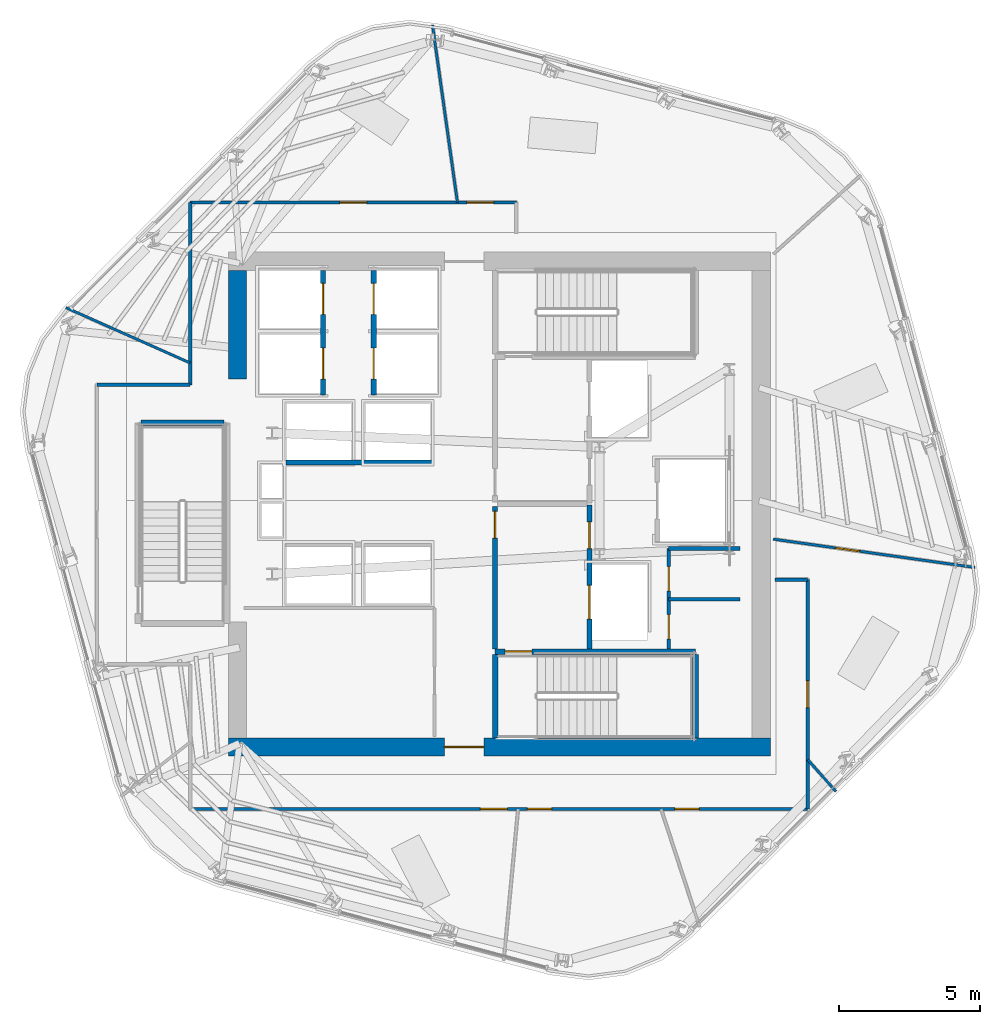
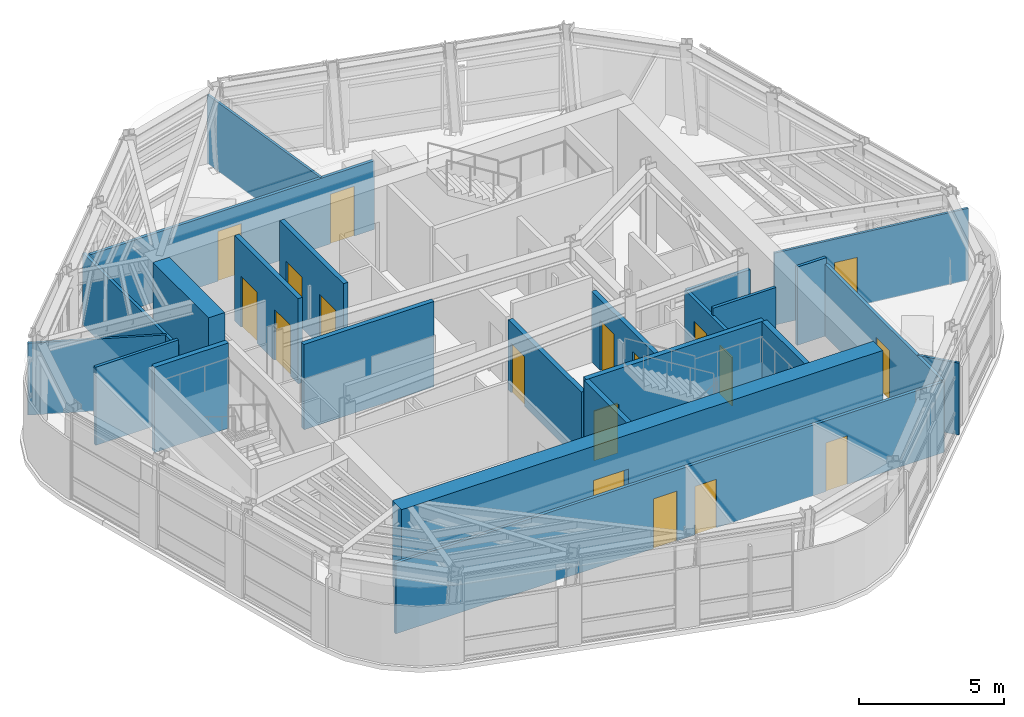
# One storey, part 7 of 13: 24 walls, 18 doors, 18 openings.
"""IFC4 building model written with IfcOpenShell, lengths in metres."""

from ifc_helpers import new_model, si_unit, direction, frame, frame_2d, origin, place, context, subcontext, project, spatial, rectangle, extrude, material, layer, layer_set, type_object, element, fill, save


model = new_model("IFC4")

# Units and contexts
model_context = context("Model", 3, precision=1e-05, world=origin(), true_north=direction((0.0, 1.0)))
body_context = subcontext(model_context, "Body", "Model", "MODEL_VIEW")
ifc_project = project(units=[si_unit("LENGTHUNIT", "METRE"), si_unit("AREAUNIT", "SQUARE_METRE"), si_unit("VOLUMEUNIT", "CUBIC_METRE"), si_unit("PLANEANGLEUNIT", "RADIAN"), si_unit("MASSUNIT", "GRAM", prefix="KILO")], contexts=[model_context])

# Site, building, storey
site_placement = place(None, origin())
site = spatial("IfcSite", under=ifc_project, at=site_placement, CompositionType="ELEMENT")
building_placement = place(site_placement, origin())
building = spatial("IfcBuilding", under=site, at=building_placement, Name="Valkerne Bourse Tower", CompositionType="ELEMENT")
storey_placement = place(building_placement, frame((0.0, 0.0, 217.0)))
storey = spatial("IfcBuildingStorey", under=building, at=storey_placement, Name="L55", CompositionType="ELEMENT", Elevation=217.0)

# Wall, opening, door
ifc_material_1 = material(Name="Concrete C55/67", Category="concrete")
ifc_layer_1 = layer(ifc_material_1, 0.64990234375)
ifc_layer_set_1 = layer_set([ifc_layer_1], Name="Concrete C55/67")
wall_type_1 = type_object("IfcWallType", Name="W-CORE-650", PredefinedType="SHEAR", material=ifc_layer_set_1)
wall_1_placement = place(storey_placement, frame((37.199951171875, 18.27490234375, 0.0), z_axis=(0.0, 0.0, 1.0), x_axis=(1.0, 0.0, 0.0)))
wall_1 = element("IfcWall", 1, at=wall_1_placement, inside=storey, type_object=wall_type_1, Name="L55 Core Shear Wall SOUTH", PredefinedType="SHEAR", context=body_context, shape_type="SweptSolid", body=[
    extrude(rectangle(XDim=19.199951171875, YDim=0.64990234375, at=frame_2d((9.60009765625, 0.0))), origin(), (0.0, 0.0, 1.0), 3.60009765625),
])
opening_1_placement = place(wall_1_placement, frame((7.64990234375, 0.0, 0.0)))
opening_1 = element("IfcOpeningElement", 2, at=opening_1_placement, cuts=wall_1, Name="Opening D-PL-1400", PredefinedType="OPENING", context=body_context, shape_type="SweptSolid", body=[
    extrude(rectangle(XDim=1.39990234375, YDim=2.14990234375, at=frame_2d((0.699951171875, 1.074951171875))), frame((0.0, 0.3349609375, 0.0), z_axis=(0.0, -1.0, 0.0), x_axis=(1.0, 0.0, 0.0)), (0.0, 0.0, 1.0), 0.669921875),
])
ifc_material_2 = material(Name="Galvanised Painted Steel", Category="steel")
door_type_1 = type_object("IfcDoorType", Name="DR-PLT-1400", OperationType="DOUBLE_DOOR_SINGLE_SWING", PredefinedType="DOOR", material=ifc_material_2)
door_1_placement = place(opening_1_placement, origin())
door_1 = element("IfcDoor", 3, at=door_1_placement, inside=storey, type_object=door_type_1, Name="L55 South Passenger Lift Hall Fire Door", OperationType="DOUBLE_DOOR_SINGLE_SWING", OverallHeight=2.14990234375, OverallWidth=1.39990234375, PredefinedType="DOOR", context=body_context, shape_type="SweptSolid", body=[
    extrude(rectangle(XDim=1.39990234375, YDim=2.14990234375, at=frame_2d((0.699951171875, 1.074951171875))), frame((0.0, 0.02490234375, 0.0), z_axis=(0.0, -1.0, 0.0), x_axis=(1.0, 0.0, 0.0)), (0.0, 0.0, 1.0), 0.050048828125),
])
fill(opening_1, door_1)

# Walls
wall_2_placement = place(storey_placement, frame((37.52490234375, 31.300048828125, 0.0), z_axis=(0.0, 0.0, 1.0), x_axis=(0.0, 1.0, 0.0)))
element("IfcWall", 4, at=wall_2_placement, inside=storey, type_object=wall_type_1, Name="L55 Core Shear Wall WEST-N", PredefinedType="SHEAR", context=body_context, shape_type="SweptSolid", body=[
    extrude(rectangle(XDim=3.849853515625, YDim=0.64990234375, at=frame_2d((1.9248046875, 0.0))), origin(), (0.0, 0.0, 1.0), 3.60009765625),
])
ifc_material_3 = material(Name="Gypsum Board Steel-Stud Partition", Category="steel")
ifc_layer_2 = layer(ifc_material_3, 0.117919921875)
ifc_layer_set_2 = layer_set([ifc_layer_2], Name="Gypsum Board Steel-Stud Partition")
wall_type_2 = type_object("IfcWallType", Name="W-CORR-140", PredefinedType="PARTITIONING", material=ifc_layer_set_2)
wall_3_placement = place(storey_placement, frame((52.800048828125, 23.510009765625, 0.0), z_axis=(0.0, 0.0, 1.0), x_axis=(1.0, 0.0, 0.0)))
element("IfcWall", 5, at=wall_3_placement, inside=storey, type_object=wall_type_2, Name="L55 Core SE Dual Divider", PredefinedType="PARTITIONING", context=body_context, shape_type="SweptSolid", body=[
    extrude(rectangle(XDim=2.52001953125, YDim=0.117919921875, at=frame_2d((1.260009765625, 0.0))), origin(), (0.0, 0.0, 1.0), 3.300048828125),
])
wall_4_placement = place(storey_placement, frame((32.550048828125, 31.10009765625, 0.0), z_axis=(0.0, 0.0, 1.0), x_axis=(1.0, 0.0, 0.0)))
element("IfcWall", 6, at=wall_4_placement, inside=storey, type_object=wall_type_2, Name="L55 Corridor Enclosure Wall", PredefinedType="PARTITIONING", context=body_context, shape_type="SweptSolid", body=[
    extrude(rectangle(XDim=3.300048828125, YDim=0.117919921875, at=frame_2d((1.64990234375, 0.0))), origin(), (0.0, 0.0, 1.0), 3.300048828125),
])
wall_5_placement = place(storey_placement, frame((35.85009765625, 31.10009765625, 0.0), z_axis=(0.0, 0.0, 1.0), x_axis=(0.0, 1.0, 0.0)))
element("IfcWall", 7, at=wall_5_placement, inside=storey, type_object=wall_type_2, Name="L55 Corridor Enclosure Wall", PredefinedType="PARTITIONING", context=body_context, shape_type="SweptSolid", body=[
    extrude(rectangle(XDim=6.4599609375, YDim=0.117919921875, at=frame_2d((3.22998046875, 0.0))), origin(), (0.0, 0.0, 1.0), 3.036376953125),
])

# Wall, openings, doors
wall_6_placement = place(storey_placement, frame((35.85009765625, 37.56005859375, 0.0), z_axis=(0.0, 0.0, 1.0), x_axis=(1.0, 0.0, 0.0)))
wall_6 = element("IfcWall", 8, at=wall_6_placement, inside=storey, type_object=wall_type_2, Name="L55 Corridor Enclosure Wall", PredefinedType="PARTITIONING", context=body_context, shape_type="SweptSolid", body=[
    extrude(rectangle(XDim=11.5498046875, YDim=0.117919921875, at=frame_2d((5.77490234375, 0.0))), origin(), (0.0, 0.0, 1.0), 2.896484375),
])
opening_2_placement = place(wall_6_placement, frame((5.300048828125, 0.0, 0.0)))
opening_2 = element("IfcOpeningElement", 9, at=opening_2_placement, cuts=wall_6, Name="Opening D-OF-950", PredefinedType="OPENING", context=body_context, shape_type="SweptSolid", body=[
    extrude(rectangle(XDim=0.949951171875, YDim=2.10009765625, at=frame_2d((0.47509765625, 1.050048828125))), frame((0.0, 0.06884765625, 0.0), z_axis=(0.0, -1.0, 0.0), x_axis=(1.0, 0.0, 0.0)), (0.0, 0.0, 1.0), 0.137939453125),
])
opening_3_placement = place(wall_6_placement, frame((9.800048828125, 0.0, 0.0)))
opening_3 = element("IfcOpeningElement", 10, at=opening_3_placement, cuts=wall_6, Name="Opening D-OF-950", PredefinedType="OPENING", context=body_context, shape_type="SweptSolid", body=[
    extrude(rectangle(XDim=0.949951171875, YDim=2.10009765625, at=frame_2d((0.47509765625, 1.050048828125))), frame((0.0, 0.06884765625, 0.0), z_axis=(0.0, -1.0, 0.0), x_axis=(1.0, 0.0, 0.0)), (0.0, 0.0, 1.0), 0.137939453125),
])
ifc_material_4 = material(Name="Architectural White Oak Timber", Category="wood")
door_type_2 = type_object("IfcDoorType", Name="DR-OFF-950", OperationType="NOTDEFINED", PredefinedType="DOOR", material=ifc_material_4)
door_2_placement = place(opening_2_placement, origin())
door_2 = element("IfcDoor", 11, at=door_2_placement, inside=storey, type_object=door_type_2, Name="L55 L55 VIP Client Concierge Reception 6 Door", OperationType="SINGLE_SWING_LEFT", OverallHeight=2.10009765625, OverallWidth=0.949951171875, PredefinedType="DOOR", context=body_context, shape_type="SweptSolid", body=[
    extrude(rectangle(XDim=0.949951171875, YDim=2.10009765625, at=frame_2d((0.47509765625, 1.050048828125))), frame((0.0, 0.02490234375, 0.0), z_axis=(0.0, -1.0, 0.0), x_axis=(1.0, 0.0, 0.0)), (0.0, 0.0, 1.0), 0.050048828125),
])
fill(opening_2, door_2)
door_3_placement = place(opening_3_placement, origin())
door_3 = element("IfcDoor", 12, at=door_3_placement, inside=storey, type_object=door_type_2, Name="L55 L55 Trading Desk Office 7 Door", OperationType="SINGLE_SWING_LEFT", OverallHeight=2.10009765625, OverallWidth=0.949951171875, PredefinedType="DOOR", context=body_context, shape_type="SweptSolid", body=[
    extrude(rectangle(XDim=0.949951171875, YDim=2.10009765625, at=frame_2d((0.47509765625, 1.050048828125))), frame((0.0, 0.02490234375, 0.0), z_axis=(0.0, -1.0, 0.0), x_axis=(1.0, 0.0, 0.0)), (0.0, 0.0, 1.0), 0.050048828125),
])
fill(opening_3, door_3)

# Wall
wall_7_placement = place(storey_placement, frame((56.56005859375, 24.199951171875, 0.0), z_axis=(0.0, 0.0, 1.0), x_axis=(1.0, 0.0, 0.0)))
element("IfcWall", 13, at=wall_7_placement, inside=storey, type_object=wall_type_2, Name="L55 Corridor Enclosure Wall", PredefinedType="PARTITIONING", context=body_context, shape_type="SweptSolid", body=[
    extrude(rectangle(XDim=1.159912109375, YDim=0.117919921875, at=frame_2d((0.580078125, 0.0))), origin(), (0.0, 0.0, 1.0), 3.300048828125),
])

# Wall, opening, door
wall_8_placement = place(storey_placement, frame((57.719970703125, 24.199951171875, 0.0), z_axis=(0.0, 0.0, 1.0), x_axis=(0.0, -1.0, 0.0)))
wall_8 = element("IfcWall", 14, at=wall_8_placement, inside=storey, type_object=wall_type_2, Name="L55 Corridor Enclosure Wall", PredefinedType="PARTITIONING", context=body_context, shape_type="SweptSolid", body=[
    extrude(rectangle(XDim=8.119873046875, YDim=0.117919921875, at=frame_2d((4.06005859375, 0.0))), origin(), (0.0, 0.0, 1.0), 3.036376953125),
])
opening_4_placement = place(wall_8_placement, frame((3.5849609375, 0.0, 0.0)))
opening_4 = element("IfcOpeningElement", 15, at=opening_4_placement, cuts=wall_8, Name="Opening D-OF-950", PredefinedType="OPENING", context=body_context, shape_type="SweptSolid", body=[
    extrude(rectangle(XDim=0.949951171875, YDim=2.10009765625, at=frame_2d((0.47509765625, 1.050048828125))), frame((0.0, 0.06884765625, 0.0), z_axis=(0.0, -1.0, 0.0), x_axis=(1.0, 0.0, 0.0)), (0.0, 0.0, 1.0), 0.137939453125),
])
door_4_placement = place(opening_4_placement, origin())
door_4 = element("IfcDoor", 16, at=door_4_placement, inside=storey, type_object=door_type_2, Name="L55 L55 Executive Economics Study Room 3 Door", OperationType="SINGLE_SWING_LEFT", OverallHeight=2.10009765625, OverallWidth=0.949951171875, PredefinedType="DOOR", context=body_context, shape_type="SweptSolid", body=[
    extrude(rectangle(XDim=0.949951171875, YDim=2.10009765625, at=frame_2d((0.47509765625, 1.050048828125))), frame((0.0, 0.02490234375, 0.0), z_axis=(0.0, -1.0, 0.0), x_axis=(1.0, 0.0, 0.0)), (0.0, 0.0, 1.0), 0.050048828125),
])
fill(opening_4, door_4)

# Wall, openings, doors
wall_9_placement = place(storey_placement, frame((57.719970703125, 16.080078125, 0.0), z_axis=(0.0, 0.0, 1.0), x_axis=(-1.0, 0.0, 0.0)))
wall_9 = element("IfcWall", 17, at=wall_9_placement, inside=storey, type_object=wall_type_2, Name="L55 Corridor Enclosure Wall", PredefinedType="PARTITIONING", context=body_context, shape_type="SweptSolid", body=[
    extrude(rectangle(XDim=21.869873046875, YDim=0.117919921875, at=frame_2d((10.93505859375, 0.0))), origin(), (0.0, 0.0, 1.0), 2.98291015625),
])
opening_5_placement = place(wall_9_placement, frame((3.844970703125, 0.0, 0.0)))
opening_5 = element("IfcOpeningElement", 18, at=opening_5_placement, cuts=wall_9, Name="Opening D-WC-900", PredefinedType="OPENING", context=body_context, shape_type="SweptSolid", body=[
    extrude(rectangle(XDim=0.860107421875, YDim=2.050048828125, at=frame_2d((0.43017578125, 1.02490234375))), frame((0.0, 0.06884765625, 0.0), z_axis=(0.0, -1.0, 0.0), x_axis=(1.0, 0.0, 0.0)), (0.0, 0.0, 1.0), 0.137939453125),
])
opening_6_placement = place(wall_9_placement, frame((9.06494140625, 0.0, 0.0)))
opening_6 = element("IfcOpeningElement", 19, at=opening_6_placement, cuts=wall_9, Name="Opening D-WC-900", PredefinedType="OPENING", context=body_context, shape_type="SweptSolid", body=[
    extrude(rectangle(XDim=0.860107421875, YDim=2.050048828125, at=frame_2d((0.43017578125, 1.02490234375))), frame((0.0, 0.06884765625, 0.0), z_axis=(0.0, -1.0, 0.0), x_axis=(1.0, 0.0, 0.0)), (0.0, 0.0, 1.0), 0.137939453125),
])
opening_7_placement = place(wall_9_placement, frame((10.639892578125, 0.0, 0.0)))
opening_7 = element("IfcOpeningElement", 20, at=opening_7_placement, cuts=wall_9, Name="Opening D-OF-950", PredefinedType="OPENING", context=body_context, shape_type="SweptSolid", body=[
    extrude(rectangle(XDim=0.949951171875, YDim=2.10009765625, at=frame_2d((0.47509765625, 1.050048828125))), frame((0.0, 0.06884765625, 0.0), z_axis=(0.0, -1.0, 0.0), x_axis=(1.0, 0.0, 0.0)), (0.0, 0.0, 1.0), 0.137939453125),
])
door_5_placement = place(opening_7_placement, origin())
door_5 = element("IfcDoor", 21, at=door_5_placement, inside=storey, type_object=door_type_2, Name="L55 L55 VIP Client Concierge Reception 5 Door", OperationType="SINGLE_SWING_LEFT", OverallHeight=2.10009765625, OverallWidth=0.949951171875, PredefinedType="DOOR", context=body_context, shape_type="SweptSolid", body=[
    extrude(rectangle(XDim=0.949951171875, YDim=2.10009765625, at=frame_2d((0.47509765625, 1.050048828125))), frame((0.0, 0.02490234375, 0.0), z_axis=(0.0, -1.0, 0.0), x_axis=(1.0, 0.0, 0.0)), (0.0, 0.0, 1.0), 0.050048828125),
])
fill(opening_7, door_5)
door_type_3 = type_object("IfcDoorType", Name="DR-WC-900", OperationType="NOTDEFINED", PredefinedType="DOOR", material=ifc_material_4)
door_6_placement = place(opening_5_placement, origin())
door_6 = element("IfcDoor", 22, at=door_6_placement, inside=storey, type_object=door_type_3, Name="L55 L55 Men Bathroom WC 1 Door", OperationType="SINGLE_SWING_RIGHT", OverallHeight=2.050048828125, OverallWidth=0.860107421875, PredefinedType="DOOR", context=body_context, shape_type="SweptSolid", body=[
    extrude(rectangle(XDim=0.860107421875, YDim=2.050048828125, at=frame_2d((0.43017578125, 1.02490234375))), frame((0.0, 0.02490234375, 0.0), z_axis=(0.0, -1.0, 0.0), x_axis=(1.0, 0.0, 0.0)), (0.0, 0.0, 1.0), 0.050048828125),
])
fill(opening_5, door_6)
door_7_placement = place(opening_6_placement, origin())
door_7 = element("IfcDoor", 23, at=door_7_placement, inside=storey, type_object=door_type_3, Name="L55 L55 Women Restroom & Shower WC 2 Door", OperationType="SINGLE_SWING_RIGHT", OverallHeight=2.050048828125, OverallWidth=0.860107421875, PredefinedType="DOOR", context=body_context, shape_type="SweptSolid", body=[
    extrude(rectangle(XDim=0.860107421875, YDim=2.050048828125, at=frame_2d((0.43017578125, 1.02490234375))), frame((0.0, 0.02490234375, 0.0), z_axis=(0.0, -1.0, 0.0), x_axis=(1.0, 0.0, 0.0)), (0.0, 0.0, 1.0), 0.050048828125),
])
fill(opening_6, door_7)

# Wall, opening, door
ifc_material_5 = material(Name="Gypsum Fire-Rated Shaftwall", Category="gypsum")
ifc_layer_3 = layer(ifc_material_5, 0.179931640625)
ifc_layer_set_3 = layer_set([ifc_layer_3], Name="Gypsum Fire-Rated Shaftwall")
wall_type_3 = type_object("IfcWallType", Name="W-FSAE-180", PredefinedType="PARTITIONING", material=ifc_layer_set_3)
wall_10_placement = place(storey_placement, frame((46.64990234375, 21.75, 0.0), z_axis=(0.0, 0.0, 1.0), x_axis=(0.0, 1.0, 0.0)))
wall_10 = element("IfcWall", 24, at=wall_10_placement, inside=storey, type_object=wall_type_3, Name="L55 FSAE-1 Lobby West Fire Wall", PredefinedType="PARTITIONING", context=body_context, shape_type="SweptSolid", body=[
    extrude(rectangle(XDim=5.050048828125, YDim=0.179931640625, at=frame_2d((2.52490234375, 0.0))), origin(), (0.0, 0.0, 1.0), 2.977783203125),
])
opening_8_placement = place(wall_10_placement, frame((3.919921875, 0.0, 0.0)))
opening_8 = element("IfcOpeningElement", 25, at=opening_8_placement, cuts=wall_10, Name="Opening D-FS-950", PredefinedType="OPENING", context=body_context, shape_type="SweptSolid", body=[
    extrude(rectangle(XDim=0.949951171875, YDim=2.10009765625, at=frame_2d((0.47509765625, 1.050048828125))), frame((0.0, 0.099853515625, 0.0), z_axis=(0.0, -1.0, 0.0), x_axis=(1.0, 0.0, 0.0)), (0.0, 0.0, 1.0), 0.199951171875),
])
door_type_4 = type_object("IfcDoorType", Name="DR-FSAE-950", OperationType="NOTDEFINED", PredefinedType="DOOR", material=ifc_material_2)
door_8_placement = place(opening_8_placement, origin())
door_8 = element("IfcDoor", 26, at=door_8_placement, inside=storey, type_object=door_type_4, Name="L55 FSAE-1 Hall Link Fire Door", OperationType="SINGLE_SWING_LEFT", OverallHeight=2.10009765625, OverallWidth=0.949951171875, PredefinedType="DOOR", context=body_context, shape_type="SweptSolid", body=[
    extrude(rectangle(XDim=0.949951171875, YDim=2.10009765625, at=frame_2d((0.47509765625, 1.050048828125))), frame((0.0, 0.02490234375, 0.0), z_axis=(0.0, -1.0, 0.0), x_axis=(1.0, 0.0, 0.0)), (0.0, 0.0, 1.0), 0.050048828125),
])
fill(opening_8, door_8)

# Wall, openings, doors
wall_11_placement = place(storey_placement, frame((50.0, 21.75, 0.0), z_axis=(0.0, 0.0, 1.0), x_axis=(0.0, 1.0, 0.0)))
wall_11 = element("IfcWall", 27, at=wall_11_placement, inside=storey, type_object=wall_type_3, Name="L55 FSAE-1 Lobby & Shaft Front Wall", PredefinedType="PARTITIONING", context=body_context, shape_type="SweptSolid", body=[
    extrude(rectangle(XDim=5.090087890625, YDim=0.179931640625, at=frame_2d((2.544921875, 0.0))), origin(), (0.0, 0.0, 1.0), 2.977783203125),
])
opening_9_placement = place(wall_11_placement, frame((1.050048828125, 0.0, 0.0)))
opening_9 = element("IfcOpeningElement", 28, at=opening_9_placement, cuts=wall_11, Name="Opening LD-1200", PredefinedType="OPENING", context=body_context, shape_type="SweptSolid", body=[
    extrude(rectangle(XDim=1.199951171875, YDim=2.14990234375, at=frame_2d((0.60009765625, 1.074951171875))), frame((0.0, 0.099853515625, 0.0), z_axis=(0.0, -1.0, 0.0), x_axis=(1.0, 0.0, 0.0)), (0.0, 0.0, 1.0), 0.199951171875),
])
opening_10_placement = place(wall_11_placement, frame((3.550048828125, 0.0, 0.0)))
opening_10 = element("IfcOpeningElement", 29, at=opening_10_placement, cuts=wall_11, Name="Opening D-FS-950", PredefinedType="OPENING", context=body_context, shape_type="SweptSolid", body=[
    extrude(rectangle(XDim=0.949951171875, YDim=2.10009765625, at=frame_2d((0.47509765625, 1.050048828125))), frame((0.0, 0.099853515625, 0.0), z_axis=(0.0, -1.0, 0.0), x_axis=(1.0, 0.0, 0.0)), (0.0, 0.0, 1.0), 0.199951171875),
])
door_9_placement = place(opening_10_placement, origin())
door_9 = element("IfcDoor", 30, at=door_9_placement, inside=storey, type_object=door_type_4, Name="L55 FSAE-1 Lobby Corridor Fire Door", OperationType="SINGLE_SWING_RIGHT", OverallHeight=2.10009765625, OverallWidth=0.949951171875, PredefinedType="DOOR", context=body_context, shape_type="SweptSolid", body=[
    extrude(rectangle(XDim=0.949951171875, YDim=2.10009765625, at=frame_2d((0.47509765625, 1.050048828125))), frame((0.0, 0.02490234375, 0.0), z_axis=(0.0, -1.0, 0.0), x_axis=(1.0, 0.0, 0.0)), (0.0, 0.0, 1.0), 0.050048828125),
])
fill(opening_10, door_9)
ifc_material_6 = material(Name="Stainless Steel AISI 316", Category="steel")
door_type_5 = type_object("IfcDoorType", Name="DR-LIFT-1200", OperationType="DOUBLE_DOOR_SLIDING", PredefinedType="DOOR", material=ifc_material_6)
door_10_placement = place(opening_9_placement, origin())
door_10 = element("IfcDoor", 31, at=door_10_placement, inside=storey, type_object=door_type_5, Name="L55 FSAE-1 Firefighting Lift Landing Door", OperationType="DOUBLE_DOOR_SLIDING", OverallHeight=2.14990234375, OverallWidth=1.199951171875, PredefinedType="DOOR", context=body_context, shape_type="SweptSolid", body=[
    extrude(rectangle(XDim=1.199951171875, YDim=2.14990234375, at=frame_2d((0.60009765625, 1.074951171875))), frame((0.0, 0.02490234375, 0.0), z_axis=(0.0, -1.0, 0.0), x_axis=(1.0, 0.0, 0.0)), (0.0, 0.0, 1.0), 0.050048828125),
])
fill(opening_9, door_10)

ifc_material_7 = material(Name="CMU Blockwork Masonry 200mm", Category="masonry")
ifc_layer_4 = layer(ifc_material_7, 0.179931640625)
ifc_layer_set_4 = layer_set([ifc_layer_4], Name="CMU Blockwork Masonry 200mm")
wall_type_4 = type_object("IfcWallType", Name="W-LFT-180", PredefinedType="SOLIDWALL", material=ifc_layer_set_4)
wall_12_placement = place(storey_placement, frame((40.550048828125, 30.75, 0.0), z_axis=(0.0, 0.0, 1.0), x_axis=(0.0, 1.0, 0.0)))
wall_12 = element("IfcWall", 32, at=wall_12_placement, inside=storey, type_object=wall_type_4, Name="L55 Mid-Zone West Cars Front Wall", PredefinedType="SOLIDWALL", context=body_context, shape_type="SweptSolid", body=[
    extrude(rectangle(XDim=4.39990234375, YDim=0.179931640625, at=frame_2d((2.199951171875, 0.0))), origin(), (0.0, 0.0, 1.0), 3.60009765625),
])
opening_11_placement = place(wall_12_placement, frame((0.550048828125, 0.0, 0.0)))
opening_11 = element("IfcOpeningElement", 33, at=opening_11_placement, cuts=wall_12, Name="Opening LD-1100", PredefinedType="OPENING", context=body_context, shape_type="SweptSolid", body=[
    extrude(rectangle(XDim=1.10009765625, YDim=2.14990234375, at=frame_2d((0.550048828125, 1.074951171875))), frame((0.0, 0.099853515625, 0.0), z_axis=(0.0, -1.0, 0.0), x_axis=(1.0, 0.0, 0.0)), (0.0, 0.0, 1.0), 0.199951171875),
])
opening_12_placement = place(wall_12_placement, frame((2.85009765625, 0.0, 0.0)))
opening_12 = element("IfcOpeningElement", 34, at=opening_12_placement, cuts=wall_12, Name="Opening LD-1100", PredefinedType="OPENING", context=body_context, shape_type="SweptSolid", body=[
    extrude(rectangle(XDim=1.10009765625, YDim=2.14990234375, at=frame_2d((0.550048828125, 1.074951171875))), frame((0.0, 0.099853515625, 0.0), z_axis=(0.0, -1.0, 0.0), x_axis=(1.0, 0.0, 0.0)), (0.0, 0.0, 1.0), 0.199951171875),
])
door_type_6 = type_object("IfcDoorType", Name="DR-LIFT-1100", OperationType="DOUBLE_DOOR_SLIDING", PredefinedType="DOOR", material=ifc_material_6)
door_11_placement = place(opening_11_placement, origin())
door_11 = element("IfcDoor", 35, at=door_11_placement, inside=storey, type_object=door_type_6, Name="L55 Passenger Lift PL-M1 Sliding Landing Door", OperationType="DOUBLE_DOOR_SLIDING", OverallHeight=2.14990234375, OverallWidth=1.10009765625, PredefinedType="DOOR", context=body_context, shape_type="SweptSolid", body=[
    extrude(rectangle(XDim=1.10009765625, YDim=2.14990234375, at=frame_2d((0.550048828125, 1.074951171875))), frame((0.0, 0.02490234375, 0.0), z_axis=(0.0, -1.0, 0.0), x_axis=(1.0, 0.0, 0.0)), (0.0, 0.0, 1.0), 0.050048828125),
])
fill(opening_11, door_11)
door_12_placement = place(opening_12_placement, origin())
door_12 = element("IfcDoor", 36, at=door_12_placement, inside=storey, type_object=door_type_6, Name="L55 Passenger Lift PL-M2 Sliding Landing Door", OperationType="DOUBLE_DOOR_SLIDING", OverallHeight=2.14990234375, OverallWidth=1.10009765625, PredefinedType="DOOR", context=body_context, shape_type="SweptSolid", body=[
    extrude(rectangle(XDim=1.10009765625, YDim=2.14990234375, at=frame_2d((0.550048828125, 1.074951171875))), frame((0.0, 0.02490234375, 0.0), z_axis=(0.0, -1.0, 0.0), x_axis=(1.0, 0.0, 0.0)), (0.0, 0.0, 1.0), 0.050048828125),
])
fill(opening_12, door_12)

wall_13_placement = place(storey_placement, frame((42.35009765625, 30.75, 0.0), z_axis=(0.0, 0.0, 1.0), x_axis=(0.0, 1.0, 0.0)))
wall_13 = element("IfcWall", 37, at=wall_13_placement, inside=storey, type_object=wall_type_4, Name="L55 Mid-Zone East Cars Front Wall", PredefinedType="SOLIDWALL", context=body_context, shape_type="SweptSolid", body=[
    extrude(rectangle(XDim=4.39990234375, YDim=0.179931640625, at=frame_2d((2.199951171875, 0.0))), origin(), (0.0, 0.0, 1.0), 3.60009765625),
])
opening_13_placement = place(wall_13_placement, frame((0.550048828125, 0.0, 0.0)))
opening_13 = element("IfcOpeningElement", 38, at=opening_13_placement, cuts=wall_13, Name="Opening LD-1100", PredefinedType="OPENING", context=body_context, shape_type="SweptSolid", body=[
    extrude(rectangle(XDim=1.10009765625, YDim=2.14990234375, at=frame_2d((0.550048828125, 1.074951171875))), frame((0.0, 0.099853515625, 0.0), z_axis=(0.0, -1.0, 0.0), x_axis=(1.0, 0.0, 0.0)), (0.0, 0.0, 1.0), 0.199951171875),
])
opening_14_placement = place(wall_13_placement, frame((2.85009765625, 0.0, 0.0)))
opening_14 = element("IfcOpeningElement", 39, at=opening_14_placement, cuts=wall_13, Name="Opening LD-1100", PredefinedType="OPENING", context=body_context, shape_type="SweptSolid", body=[
    extrude(rectangle(XDim=1.10009765625, YDim=2.14990234375, at=frame_2d((0.550048828125, 1.074951171875))), frame((0.0, 0.099853515625, 0.0), z_axis=(0.0, -1.0, 0.0), x_axis=(1.0, 0.0, 0.0)), (0.0, 0.0, 1.0), 0.199951171875),
])
door_13_placement = place(opening_13_placement, origin())
door_13 = element("IfcDoor", 40, at=door_13_placement, inside=storey, type_object=door_type_6, Name="L55 Passenger Lift PL-M3 Sliding Landing Door", OperationType="DOUBLE_DOOR_SLIDING", OverallHeight=2.14990234375, OverallWidth=1.10009765625, PredefinedType="DOOR", context=body_context, shape_type="SweptSolid", body=[
    extrude(rectangle(XDim=1.10009765625, YDim=2.14990234375, at=frame_2d((0.550048828125, 1.074951171875))), frame((0.0, 0.02490234375, 0.0), z_axis=(0.0, -1.0, 0.0), x_axis=(1.0, 0.0, 0.0)), (0.0, 0.0, 1.0), 0.050048828125),
])
fill(opening_13, door_13)
door_14_placement = place(opening_14_placement, origin())
door_14 = element("IfcDoor", 41, at=door_14_placement, inside=storey, type_object=door_type_6, Name="L55 Passenger Lift PL-M4 Sliding Landing Door", OperationType="DOUBLE_DOOR_SLIDING", OverallHeight=2.14990234375, OverallWidth=1.10009765625, PredefinedType="DOOR", context=body_context, shape_type="SweptSolid", body=[
    extrude(rectangle(XDim=1.10009765625, YDim=2.14990234375, at=frame_2d((0.550048828125, 1.074951171875))), frame((0.0, 0.02490234375, 0.0), z_axis=(0.0, -1.0, 0.0), x_axis=(1.0, 0.0, 0.0)), (0.0, 0.0, 1.0), 0.050048828125),
])
fill(opening_14, door_14)

# Walls
wall_14_placement = place(storey_placement, frame((39.25, 28.35009765625, 0.0), z_axis=(0.0, 0.0, 1.0), x_axis=(1.0, 0.0, 0.0)))
element("IfcWall", 42, at=wall_14_placement, inside=storey, type_object=wall_type_4, Name="L55 High-Zone North Cars Front Wall", PredefinedType="SOLIDWALL", context=body_context, shape_type="SweptSolid", body=[
    extrude(rectangle(XDim=5.199951171875, YDim=0.179931640625, at=frame_2d((2.60009765625, 0.0))), origin(), (0.0, 0.0, 1.0), 3.60009765625),
])
ifc_layer_5 = layer(ifc_material_3, 0.092041015625)
ifc_layer_set_5 = layer_set([ifc_layer_5], Name="Gypsum Board Steel-Stud Partition")
wall_type_5 = type_object("IfcWallType", Name="W-PART-115", PredefinedType="PARTITIONING", material=ifc_layer_set_5)
wall_15_placement = place(storey_placement, frame((57.72509765625, 17.822265625, 0.0), z_axis=(0.0, 0.0, 1.0), x_axis=(0.663879867886, -0.747839234739, 0.0)))
element("IfcWall", 43, at=wall_15_placement, inside=storey, type_object=wall_type_5, Name="L55 Suite Partition P03", PredefinedType="PARTITIONING", context=body_context, shape_type="SweptSolid", body=[
    extrude(rectangle(XDim=1.50341796875, YDim=0.092041015625, at=frame_2d((0.751708984375, 0.0))), origin(), (0.0, 0.0, 1.0), 3.036376953125),
])

# Wall, opening, door
wall_16_placement = place(storey_placement, frame((56.5, 25.63671875, 0.0), z_axis=(0.0, 0.0, 1.0), x_axis=(0.990270199765, -0.139157937098, 0.0)))
wall_16 = element("IfcWall", 44, at=wall_16_placement, inside=storey, type_object=wall_type_5, Name="L55 Suite Partition P04", PredefinedType="PARTITIONING", context=body_context, shape_type="SweptSolid", body=[
    extrude(rectangle(XDim=7.219482421875, YDim=0.092041015625, at=frame_2d((3.60986328125, 0.0))), origin(), (0.0, 0.0, 1.0), 3.036376953125),
])
opening_15_placement = place(wall_16_placement, frame((2.225830078125, 0.0, 0.0)))
opening_15 = element("IfcOpeningElement", 45, at=opening_15_placement, cuts=wall_16, Name="Opening D-WC-900", PredefinedType="OPENING", context=body_context, shape_type="SweptSolid", body=[
    extrude(rectangle(XDim=0.860107421875, YDim=2.050048828125, at=frame_2d((0.43017578125, 1.02490234375))), frame((0.0, 0.055908203125, 0.0), z_axis=(0.0, -1.0, 0.0), x_axis=(1.0, 0.0, 0.0)), (0.0, 0.0, 1.0), 0.112060546875),
])
door_15_placement = place(opening_15_placement, origin())
door_15 = element("IfcDoor", 46, at=door_15_placement, inside=storey, type_object=door_type_3, Name="L55 L55 Trading Desk Office 8 Suite Door", OperationType="SINGLE_SWING_LEFT", OverallHeight=2.050048828125, OverallWidth=0.860107421875, PredefinedType="DOOR", context=body_context, shape_type="SweptSolid", body=[
    extrude(rectangle(XDim=0.860107421875, YDim=2.050048828125, at=frame_2d((0.43017578125, 1.02490234375))), frame((0.0, 0.02490234375, 0.0), z_axis=(0.0, -1.0, 0.0), x_axis=(1.0, 0.0, 0.0)), (0.0, 0.0, 1.0), 0.050048828125),
])
fill(opening_15, door_15)

# Walls
wall_17_placement = place(storey_placement, frame((45.315185546875, 37.56494140625, 0.0), z_axis=(0.0, 0.0, 1.0), x_axis=(-0.139191168804, 0.990265529304, 0.0)))
element("IfcWall", 47, at=wall_17_placement, inside=storey, type_object=wall_type_5, Name="L55 Suite Partition P06", PredefinedType="PARTITIONING", context=body_context, shape_type="SweptSolid", body=[
    extrude(rectangle(XDim=6.345947265625, YDim=0.092041015625, at=frame_2d((3.1728515625, 0.0))), origin(), (0.0, 0.0, 1.0), 2.896484375),
])
wall_18_placement = place(storey_placement, frame((35.844970703125, 31.87744140625, 0.0), z_axis=(0.0, 0.0, 1.0), x_axis=(-0.913533339403, 0.406763859996, 0.0)))
element("IfcWall", 48, at=wall_18_placement, inside=storey, type_object=wall_type_5, Name="L55 Suite Partition P07", PredefinedType="PARTITIONING", context=body_context, shape_type="SweptSolid", body=[
    extrude(rectangle(XDim=4.816650390625, YDim=0.092041015625, at=frame_2d((2.408203125, 0.0))), origin(), (0.0, 0.0, 1.0), 3.036376953125),
])

# Wall, opening, door
ifc_material_8 = material(Name="Concrete C40/50", Category="concrete")
ifc_layer_6 = layer(ifc_material_8, 0.199951171875)
ifc_layer_set_6 = layer_set([ifc_layer_6], Name="Concrete C40/50")
wall_type_6 = type_object("IfcWallType", Name="W-SHF-200", PredefinedType="SHEAR", material=ifc_layer_set_6)
wall_19_placement = place(storey_placement, frame((46.64990234375, 21.64990234375, 0.0), z_axis=(0.0, 0.0, 1.0), x_axis=(1.0, 0.0, 0.0)))
wall_19 = element("IfcWall", 49, at=wall_19_placement, inside=storey, type_object=wall_type_6, Name="L55 Exit Stair ST-1 Structural Shaft Wall North", PredefinedType="SHEAR", context=body_context, shape_type="SweptSolid", body=[
    extrude(rectangle(XDim=7.10009765625, YDim=0.199951171875, at=frame_2d((3.550048828125, 0.0))), origin(), (0.0, 0.0, 1.0), 3.60009765625),
])
opening_16_placement = place(wall_19_placement, frame((0.35009765625, 0.0, 0.0)))
opening_16 = element("IfcOpeningElement", 50, at=opening_16_placement, cuts=wall_19, Name="Opening D-ST-950", PredefinedType="OPENING", context=body_context, shape_type="SweptSolid", body=[
    extrude(rectangle(XDim=0.949951171875, YDim=2.10009765625, at=frame_2d((0.47509765625, 1.050048828125))), frame((0.0, 0.10986328125, 0.0), z_axis=(0.0, -1.0, 0.0), x_axis=(1.0, 0.0, 0.0)), (0.0, 0.0, 1.0), 0.219970703125),
])
door_type_7 = type_object("IfcDoorType", Name="DR-STAIR-950", OperationType="NOTDEFINED", PredefinedType="DOOR", material=ifc_material_2)
door_16_placement = place(opening_16_placement, origin())
door_16 = element("IfcDoor", 51, at=door_16_placement, inside=storey, type_object=door_type_7, Name="L55 Exit Stair ST-1 Door", OperationType="SINGLE_SWING_LEFT", OverallHeight=2.10009765625, OverallWidth=0.949951171875, PredefinedType="DOOR", context=body_context, shape_type="SweptSolid", body=[
    extrude(rectangle(XDim=0.949951171875, YDim=2.10009765625, at=frame_2d((0.47509765625, 1.050048828125))), frame((0.0, 0.02490234375, 0.0), z_axis=(0.0, -1.0, 0.0), x_axis=(1.0, 0.0, 0.0)), (0.0, 0.0, 1.0), 0.050048828125),
])
fill(opening_16, door_16)

# Walls
for number, where, z_axis, x_axis, name in (
    (52, (46.64990234375, 18.60009765625, 0.0), (0.0, 0.0, 1.0), (0.0, 1.0, 0.0), "L55 Exit Stair ST-1 Structural Shaft Wall West"),
    (53, (53.75, 18.60009765625, 0.0), (0.0, 0.0, 1.0), (0.0, 1.0, 0.0), "L55 Exit Stair ST-1 Structural Shaft Wall East"),
    (54, (34.10009765625, 29.75, 0.0), (0.0, 0.0, 1.0), (1.0, 0.0, 0.0), "L55 Exit Stair ST-3 Structural Shaft Wall North"),
):
    element("IfcWall", number, at=place(storey_placement, frame(where, z_axis=z_axis, x_axis=x_axis)), inside=storey, type_object=wall_type_6, Name=name, PredefinedType="SHEAR", context=body_context, shape_type="SweptSolid", body=[
        extrude(rectangle(XDim=2.949951171875, YDim=0.199951171875, at=frame_2d((1.47509765625, 0.0))), origin(), (0.0, 0.0, 1.0), 3.60009765625),
    ])

# Wall, openings, doors
ifc_material_9 = material(Name="Moisture-Resistant Gypsum Partition", Category="gypsum")
ifc_layer_7 = layer(ifc_material_9, 0.139892578125)
ifc_layer_set_7 = layer_set([ifc_layer_7], Name="Moisture-Resistant Gypsum Partition")
wall_type_7 = type_object("IfcWallType", Name="W-WET-140", PredefinedType="PARTITIONING", material=ifc_layer_set_7)
wall_20_placement = place(storey_placement, frame((52.800048828125, 21.75, 0.0), z_axis=(0.0, 0.0, 1.0), x_axis=(0.0, 1.0, 0.0)))
wall_20 = element("IfcWall", 55, at=wall_20_placement, inside=storey, type_object=wall_type_7, Name="L55 Core SE Dual West Wall", PredefinedType="PARTITIONING", context=body_context, shape_type="SweptSolid", body=[
    extrude(rectangle(XDim=3.550048828125, YDim=0.139892578125, at=frame_2d((1.77490234375, 0.0))), origin(), (0.0, 0.0, 1.0), 2.977783203125),
])
opening_17_placement = place(wall_20_placement, frame((0.35009765625, 0.0, 0.0)))
opening_17 = element("IfcOpeningElement", 56, at=opening_17_placement, cuts=wall_20, Name="Opening D-WC-900", PredefinedType="OPENING", context=body_context, shape_type="SweptSolid", body=[
    extrude(rectangle(XDim=0.860107421875, YDim=2.050048828125, at=frame_2d((0.43017578125, 1.02490234375))), frame((0.0, 0.079833984375, 0.0), z_axis=(0.0, -1.0, 0.0), x_axis=(1.0, 0.0, 0.0)), (0.0, 0.0, 1.0), 0.159912109375),
])
opening_18_placement = place(wall_20_placement, frame((2.050048828125, 0.0, 0.0)))
opening_18 = element("IfcOpeningElement", 57, at=opening_18_placement, cuts=wall_20, Name="Opening D-WC-900", PredefinedType="OPENING", context=body_context, shape_type="SweptSolid", body=[
    extrude(rectangle(XDim=0.860107421875, YDim=2.050048828125, at=frame_2d((0.43017578125, 1.02490234375))), frame((0.0, 0.079833984375, 0.0), z_axis=(0.0, -1.0, 0.0), x_axis=(1.0, 0.0, 0.0)), (0.0, 0.0, 1.0), 0.159912109375),
])
door_17_placement = place(opening_17_placement, origin())
door_17 = element("IfcDoor", 58, at=door_17_placement, inside=storey, type_object=door_type_3, Name="L55 Linen Store Door", OperationType="SINGLE_SWING_RIGHT", OverallHeight=2.050048828125, OverallWidth=0.860107421875, PredefinedType="DOOR", context=body_context, shape_type="SweptSolid", body=[
    extrude(rectangle(XDim=0.860107421875, YDim=2.050048828125, at=frame_2d((0.43017578125, 1.02490234375))), frame((0.0, 0.02490234375, 0.0), z_axis=(0.0, -1.0, 0.0), x_axis=(1.0, 0.0, 0.0)), (0.0, 0.0, 1.0), 0.050048828125),
])
fill(opening_17, door_17)
door_18_placement = place(opening_18_placement, origin())
door_18 = element("IfcDoor", 59, at=door_18_placement, inside=storey, type_object=door_type_3, Name="L55 Espresso Kitchen Door", OperationType="SINGLE_SWING_RIGHT", OverallHeight=2.050048828125, OverallWidth=0.860107421875, PredefinedType="DOOR", context=body_context, shape_type="SweptSolid", body=[
    extrude(rectangle(XDim=0.860107421875, YDim=2.050048828125, at=frame_2d((0.43017578125, 1.02490234375))), frame((0.0, 0.02490234375, 0.0), z_axis=(0.0, -1.0, 0.0), x_axis=(1.0, 0.0, 0.0)), (0.0, 0.0, 1.0), 0.050048828125),
])
fill(opening_18, door_18)

# Wall
wall_21_placement = place(storey_placement, frame((52.800048828125, 25.300048828125, 0.0), z_axis=(0.0, 0.0, 1.0), x_axis=(1.0, 0.0, 0.0)))
element("IfcWall", 60, at=wall_21_placement, inside=storey, type_object=wall_type_7, Name="L55 Core SE Dual North Wall", PredefinedType="PARTITIONING", context=body_context, shape_type="SweptSolid", body=[
    extrude(rectangle(XDim=2.52001953125, YDim=0.139892578125, at=frame_2d((1.260009765625, 0.0))), origin(), (0.0, 0.0, 1.0), 2.977783203125),
])

save(model, "model.ifc")
